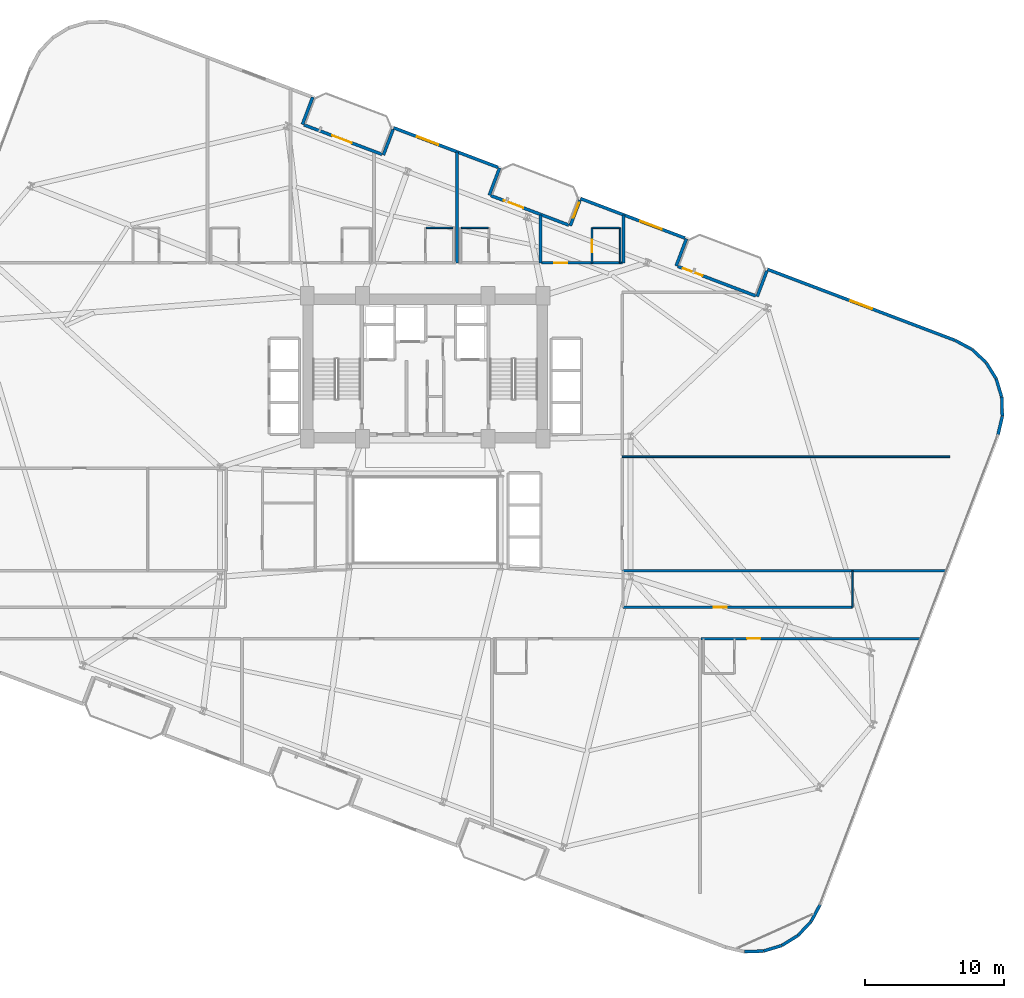
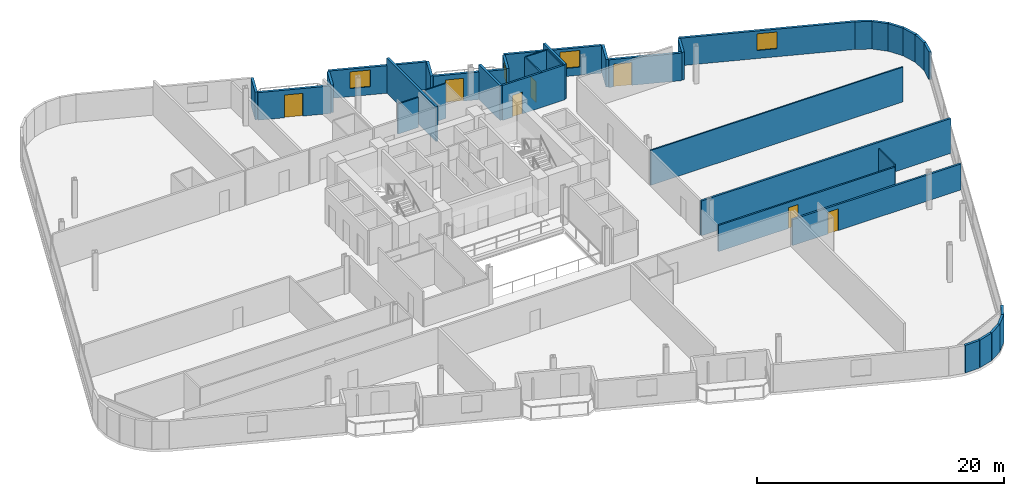
# One storey, part 21 of 25: 37 walls, 7 doors, 4 windows, 11 openings.
"""IFC4 building model written with IfcOpenShell, lengths in metres."""

from ifc_helpers import new_model, si_unit, direction, frame, frame_2d, origin, place, context, subcontext, project, spatial, rectangle, extrude, material, layer, layer_set, type_object, element, fill, save


model = new_model("IFC4")

# Units and contexts
model_context = context("Model", 3, precision=1e-05, world=origin(), true_north=direction((0.0, 1.0)))
body_context = subcontext(model_context, "Body", "Model", "MODEL_VIEW")
ifc_project = project(units=[si_unit("LENGTHUNIT", "METRE"), si_unit("AREAUNIT", "SQUARE_METRE"), si_unit("VOLUMEUNIT", "CUBIC_METRE"), si_unit("PLANEANGLEUNIT", "RADIAN"), si_unit("MASSUNIT", "GRAM", prefix="KILO")], contexts=[model_context])

# Site, building, storey
site_placement = place(None, origin())
site = spatial("IfcSite", under=ifc_project, at=site_placement, CompositionType="ELEMENT")
building_placement = place(site_placement, origin())
building = spatial("IfcBuilding", under=site, at=building_placement, Name="Varnelok Gate Tower", CompositionType="ELEMENT")
storey_placement = place(building_placement, frame((0.0, 0.0, 91.0)))
storey = spatial("IfcBuildingStorey", under=building, at=storey_placement, Name="L22", CompositionType="ELEMENT", Elevation=91.0)

# Wall, opening, door
ifc_material_1 = material(Name="Concrete C45/55", Category="concrete")
ifc_layer_1 = layer(ifc_material_1, 0.219970703125)
ifc_layer_set_1 = layer_set([ifc_layer_1], Name="Concrete C45/55")
wall_type_1 = type_object("IfcWallType", Name="EW-BALC-220", PredefinedType="SOLIDWALL", material=ifc_layer_set_1)
wall_1_placement = place(storey_placement, frame((30.465087890625, 51.37158203125, 0.0), z_axis=(0.0, 0.0, 1.0), x_axis=(0.935227640088, -0.354046976001, 0.0)))
wall_1 = element("IfcWall", 1, at=wall_1_placement, inside=storey, type_object=wall_type_1, Name="L22 North Terrace Envelope Wall 4", PredefinedType="SOLIDWALL", context=body_context, shape_type="SweptSolid", body=[
    extrude(rectangle(XDim=6.0, YDim=0.219970703125, at=frame_2d((3.0, 0.0))), origin(), (0.0, 0.0, 1.0), 2.72998046875),
])
opening_1_placement = place(wall_1_placement, frame((2.176025390625, 0.0, 0.0)))
opening_1 = element("IfcOpeningElement", 2, at=opening_1_placement, cuts=wall_1, Name="Opening BD-1", PredefinedType="OPENING", context=body_context, shape_type="SweptSolid", body=[
    extrude(rectangle(XDim=1.5, YDim=2.25, at=frame_2d((0.75, 1.125))), frame((0.0, 0.119873046875, 0.0), z_axis=(0.0, -1.0, 0.0), x_axis=(1.0, 0.0, 0.0)), (0.0, 0.0, 1.0), 0.239990234375),
])
ifc_material_2 = material(Name="Anodized Aluminum Alloy 6063-T6", Category="aluminium")
door_type_1 = type_object("IfcDoorType", Name="DR-EXT-BALC1500", OperationType="NOTDEFINED", PredefinedType="DOOR", material=ifc_material_2)
door_1_placement = place(opening_1_placement, origin())
door_1 = element("IfcDoor", 3, at=door_1_placement, inside=storey, type_object=door_type_1, Name="L22 North Balcony Glazed Door 4", OperationType="SINGLE_SWING_LEFT", OverallHeight=2.25, OverallWidth=1.5, PredefinedType="DOOR", context=body_context, shape_type="SweptSolid", body=[
    extrude(rectangle(XDim=1.5, YDim=2.25, at=frame_2d((0.75, 1.125))), frame((0.0, 0.02490234375, 0.0), z_axis=(0.0, -1.0, 0.0), x_axis=(1.0, 0.0, 0.0)), (0.0, 0.0, 1.0), 0.050048828125),
])
fill(opening_1, door_1)

wall_2_placement = place(storey_placement, frame((43.932373046875, 46.273193359375, 0.0), z_axis=(0.0, 0.0, 1.0), x_axis=(0.93521416643, -0.354082565101, 0.0)))
wall_2 = element("IfcWall", 4, at=wall_2_placement, inside=storey, type_object=wall_type_1, Name="L22 North Terrace Envelope Wall 5", PredefinedType="SOLIDWALL", context=body_context, shape_type="SweptSolid", body=[
    extrude(rectangle(XDim=6.0, YDim=0.219970703125, at=frame_2d((3.0, 0.0))), origin(), (0.0, 0.0, 1.0), 2.72998046875),
])
opening_2_placement = place(wall_2_placement, frame((0.991943359375, 0.0, 0.0)))
opening_2 = element("IfcOpeningElement", 5, at=opening_2_placement, cuts=wall_2, Name="Opening BD-1", PredefinedType="OPENING", context=body_context, shape_type="SweptSolid", body=[
    extrude(rectangle(XDim=1.5, YDim=2.25, at=frame_2d((0.75, 1.125))), frame((0.0, 0.119873046875, 0.0), z_axis=(0.0, -1.0, 0.0), x_axis=(1.0, 0.0, 0.0)), (0.0, 0.0, 1.0), 0.239990234375),
])
door_2_placement = place(opening_2_placement, origin())
door_2 = element("IfcDoor", 6, at=door_2_placement, inside=storey, type_object=door_type_1, Name="L22 North Balcony Glazed Door 5", OperationType="SINGLE_SWING_RIGHT", OverallHeight=2.25, OverallWidth=1.5, PredefinedType="DOOR", context=body_context, shape_type="SweptSolid", body=[
    extrude(rectangle(XDim=1.5, YDim=2.25, at=frame_2d((0.75, 1.125))), frame((0.0, 0.02490234375, 0.0), z_axis=(0.0, -1.0, 0.0), x_axis=(1.0, 0.0, 0.0)), (0.0, 0.0, 1.0), 0.050048828125),
])
fill(opening_2, door_2)

wall_3_placement = place(storey_placement, frame((57.3994140625, 41.174560546875, 0.0), z_axis=(0.0, 0.0, 1.0), x_axis=(0.935227640088, -0.354046976001, 0.0)))
wall_3 = element("IfcWall", 7, at=wall_3_placement, inside=storey, type_object=wall_type_1, Name="L22 North Terrace Envelope Wall 6", PredefinedType="SOLIDWALL", context=body_context, shape_type="SweptSolid", body=[
    extrude(rectangle(XDim=6.0, YDim=0.219970703125, at=frame_2d((3.0, 0.0))), origin(), (0.0, 0.0, 1.0), 2.72998046875),
])
opening_3_placement = place(wall_3_placement, frame((0.39990234375, 0.0, 0.0)))
opening_3 = element("IfcOpeningElement", 8, at=opening_3_placement, cuts=wall_3, Name="Opening BD-1", PredefinedType="OPENING", context=body_context, shape_type="SweptSolid", body=[
    extrude(rectangle(XDim=1.5, YDim=2.25, at=frame_2d((0.75, 1.125))), frame((0.0, 0.119873046875, 0.0), z_axis=(0.0, -1.0, 0.0), x_axis=(1.0, 0.0, 0.0)), (0.0, 0.0, 1.0), 0.239990234375),
])
door_3_placement = place(opening_3_placement, origin())
door_3 = element("IfcDoor", 9, at=door_3_placement, inside=storey, type_object=door_type_1, Name="L22 North Balcony Glazed Door 6", OperationType="SINGLE_SWING_LEFT", OverallHeight=2.25, OverallWidth=1.5, PredefinedType="DOOR", context=body_context, shape_type="SweptSolid", body=[
    extrude(rectangle(XDim=1.5, YDim=2.25, at=frame_2d((0.75, 1.125))), frame((0.0, 0.02490234375, 0.0), z_axis=(0.0, -1.0, 0.0), x_axis=(1.0, 0.0, 0.0)), (0.0, 0.0, 1.0), 0.050048828125),
])
fill(opening_3, door_3)

# Walls
wall_4_placement = place(storey_placement, frame((62.2158203125, -8.209228515625, 0.0), z_axis=(0.0, 0.0, 1.0), x_axis=(0.999523971993, 0.03085173271, 0.0)))
element("IfcWall", 10, at=wall_4_placement, inside=storey, type_object=wall_type_1, Name="L22 Perimeter Facade Closure Wall 18", PredefinedType="SOLIDWALL", context=body_context, shape_type="SweptSolid", body=[
    extrude(rectangle(XDim=1.353271484375, YDim=0.219970703125, at=frame_2d((0.6767578125, 0.0))), origin(), (0.0, 0.0, 1.0), 2.72998046875),
])
for number, where, z_axis, x_axis, name in (
    (11, (63.59228515625, -8.160400390625, 0.0), (0.0, 0.0, 1.0), (0.957532798303, 0.28832436625, 0.0), "L22 Perimeter Facade Closure Wall 19"),
    (12, (64.9091796875, -7.757080078125, 0.0), (0.0, 0.0, 1.0), (0.850180541217, 0.526491260456, 0.0), "L22 Perimeter Facade Closure Wall 20"),
):
    element("IfcWall", number, at=place(storey_placement, frame(where, z_axis=z_axis, x_axis=x_axis)), inside=storey, type_object=wall_type_1, Name=name, PredefinedType="SOLIDWALL", context=body_context, shape_type="SweptSolid", body=[
        extrude(rectangle(XDim=1.35302734375, YDim=0.219970703125, at=frame_2d((0.676513671875, 0.0))), origin(), (0.0, 0.0, 1.0), 2.72998046875),
    ])
wall_5_placement = place(storey_placement, frame((66.07666015625, -7.026611328125, 0.0), z_axis=(0.0, 0.0, 1.0), x_axis=(0.685032599484, 0.7285124142, 0.0)))
element("IfcWall", 13, at=wall_5_placement, inside=storey, type_object=wall_type_1, Name="L22 Perimeter Facade Closure Wall 21", PredefinedType="SOLIDWALL", context=body_context, shape_type="SweptSolid", body=[
    extrude(rectangle(XDim=1.353271484375, YDim=0.219970703125, at=frame_2d((0.6767578125, 0.0))), origin(), (0.0, 0.0, 1.0), 2.72998046875),
])
wall_6_placement = place(storey_placement, frame((67.015380859375, -6.018798828125, 0.0), z_axis=(0.0, 0.0, 1.0), x_axis=(0.473077364598, 0.881020889142, 0.0)))
element("IfcWall", 14, at=wall_6_placement, inside=storey, type_object=wall_type_1, Name="L22 Perimeter Facade Closure Wall 22", PredefinedType="SOLIDWALL", context=body_context, shape_type="SweptSolid", body=[
    extrude(rectangle(XDim=1.35302734375, YDim=0.219970703125, at=frame_2d((0.676513671875, 0.0))), origin(), (0.0, 0.0, 1.0), 2.72998046875),
])
wall_7_placement = place(storey_placement, frame((80.47265625, 29.0283203125, 0.0), z_axis=(0.0, 0.0, 1.0), x_axis=(0.228881345311, 0.973454328548, 0.0)))
element("IfcWall", 15, at=wall_7_placement, inside=storey, type_object=wall_type_1, Name="L22 Perimeter Facade Closure Wall 23", PredefinedType="SOLIDWALL", context=body_context, shape_type="SweptSolid", body=[
    extrude(rectangle(XDim=1.378173828125, YDim=0.219970703125, at=frame_2d((0.68896484375, 0.0))), origin(), (0.0, 0.0, 1.0), 2.72998046875),
])
for number, where, z_axis, x_axis, name in (
    (16, (80.787353515625, 30.39501953125, 0.0), (0.0, 0.0, 1.0), (-0.030857297317, 0.999523800218, 0.0), "L22 Perimeter Facade Closure Wall 24"),
    (17, (80.738525390625, 31.771240234375, 0.0), (0.0, 0.0, 1.0), (-0.28832436625, 0.957532798303, 0.0), "L22 Perimeter Facade Closure Wall 25"),
    (18, (80.335205078125, 33.088134765625, 0.0), (0.0, 0.0, 1.0), (-0.526491260456, 0.850180541217, 0.0), "L22 Perimeter Facade Closure Wall 26"),
    (19, (79.6044921875, 34.255615234375, 0.0), (0.0, 0.0, 1.0), (-0.72842773461, 0.685122642634, 0.0), "L22 Perimeter Facade Closure Wall 27"),
):
    element("IfcWall", number, at=place(storey_placement, frame(where, z_axis=z_axis, x_axis=x_axis)), inside=storey, type_object=wall_type_1, Name=name, PredefinedType="SOLIDWALL", context=body_context, shape_type="SweptSolid", body=[
        extrude(rectangle(XDim=1.35302734375, YDim=0.219970703125, at=frame_2d((0.676513671875, 0.0))), origin(), (0.0, 0.0, 1.0), 2.72998046875),
    ])
wall_8_placement = place(storey_placement, frame((78.5966796875, 35.1943359375, 0.0), z_axis=(0.0, 0.0, 1.0), x_axis=(-0.880948732004, 0.473211719614, 0.0)))
element("IfcWall", 20, at=wall_8_placement, inside=storey, type_object=wall_type_1, Name="L22 Perimeter Facade Closure Wall 28", PredefinedType="SOLIDWALL", context=body_context, shape_type="SweptSolid", body=[
    extrude(rectangle(XDim=1.361083984375, YDim=0.219970703125, at=frame_2d((0.6806640625, 0.0))), origin(), (0.0, 0.0, 1.0), 2.72998046875),
])

# Wall, opening, window
wall_9_placement = place(storey_placement, frame((77.37451171875, 35.84716796875, 0.0), z_axis=(0.0, 0.0, 1.0), x_axis=(-0.935222448475, 0.354060689526, 0.0)))
wall_9 = element("IfcWall", 21, at=wall_9_placement, inside=storey, type_object=wall_type_1, Name="L22 Perimeter Facade Closure Wall 29", PredefinedType="SOLIDWALL", context=body_context, shape_type="SweptSolid", body=[
    extrude(rectangle(XDim=14.447265625, YDim=0.219970703125, at=frame_2d((7.2236328125, 0.0))), origin(), (0.0, 0.0, 1.0), 2.72998046875),
])
opening_4_placement = place(wall_9_placement, frame((6.398681640625, 0.0, 0.800048828125)))
opening_4 = element("IfcOpeningElement", 22, at=opening_4_placement, cuts=wall_9, Name="Opening WN3", PredefinedType="OPENING", context=body_context, shape_type="SweptSolid", body=[
    extrude(rectangle(XDim=1.64990234375, YDim=1.64990234375, at=frame_2d((0.824951171875, 0.824951171875))), frame((0.0, 0.119873046875, 0.0), z_axis=(0.0, -1.0, 0.0), x_axis=(1.0, 0.0, 0.0)), (0.0, 0.0, 1.0), 0.239990234375),
])
ifc_material_3 = material(Name="Low-E Laminated Double Glazing IGU", Category="glass")
window_type_1 = type_object("IfcWindowType", Name="WN-HTL-1650", PartitioningType="SINGLE_PANEL", PredefinedType="WINDOW", material=ifc_material_3)
window_1_placement = place(opening_4_placement, origin())
window_1 = element("IfcWindow", 23, at=window_1_placement, inside=storey, type_object=window_type_1, Name="L22 Perimeter Vision Window 29", OverallHeight=1.64990234375, OverallWidth=1.64990234375, PartitioningType="SINGLE_PANEL", PredefinedType="WINDOW", context=body_context, shape_type="SweptSolid", body=[
    extrude(rectangle(XDim=1.64990234375, YDim=1.64990234375, at=frame_2d((0.824951171875, 0.824951171875))), frame((0.0, 0.030029296875, 0.0), z_axis=(0.0, -1.0, 0.0), x_axis=(1.0, 0.0, 0.0)), (0.0, 0.0, 1.0), 0.06005859375),
])
fill(opening_4, window_1)

# Walls
wall_10_placement = place(storey_placement, frame((63.81884765625, 40.845458984375, 0.0), z_axis=(0.0, 0.0, 1.0), x_axis=(-0.354128791944, -0.935196663123, 0.0)))
element("IfcWall", 24, at=wall_10_placement, inside=storey, type_object=wall_type_1, Name="L22 Perimeter Facade Closure Wall 30", PredefinedType="SOLIDWALL", context=body_context, shape_type="SweptSolid", body=[
    extrude(rectangle(XDim=1.97509765625, YDim=0.219970703125, at=frame_2d((0.987548828125, 0.0))), origin(), (0.0, 0.0, 1.0), 2.72998046875),
])
wall_11_placement = place(storey_placement, frame((57.28369140625, 41.207763671875, 0.0), z_axis=(0.0, 0.0, 1.0), x_axis=(0.354128469405, 0.935196785258, 0.0)))
element("IfcWall", 25, at=wall_11_placement, inside=storey, type_object=wall_type_1, Name="L22 Perimeter Facade Closure Wall 31", PredefinedType="SOLIDWALL", context=body_context, shape_type="SweptSolid", body=[
    extrude(rectangle(XDim=2.099853515625, YDim=0.219970703125, at=frame_2d((1.0498046875, 0.0))), origin(), (0.0, 0.0, 1.0), 2.72998046875),
])

# Wall, opening, window
wall_12_placement = place(storey_placement, frame((57.910400390625, 43.2158203125, 0.0), z_axis=(0.0, 0.0, 1.0), x_axis=(-0.935220736163, 0.354065212427, 0.0)))
wall_12 = element("IfcWall", 26, at=wall_12_placement, inside=storey, type_object=wall_type_1, Name="L22 Perimeter Facade Closure Wall 32", PredefinedType="SOLIDWALL", context=body_context, shape_type="SweptSolid", body=[
    extrude(rectangle(XDim=8.03515625, YDim=0.219970703125, at=frame_2d((4.017578125, 0.0))), origin(), (0.0, 0.0, 1.0), 2.72998046875),
])
opening_5_placement = place(wall_12_placement, frame((1.787841796875, 0.0, 0.800048828125)))
opening_5 = element("IfcOpeningElement", 27, at=opening_5_placement, cuts=wall_12, Name="Opening WN3", PredefinedType="OPENING", context=body_context, shape_type="SweptSolid", body=[
    extrude(rectangle(XDim=1.64990234375, YDim=1.64990234375, at=frame_2d((0.824951171875, 0.824951171875))), frame((0.0, 0.119873046875, 0.0), z_axis=(0.0, -1.0, 0.0), x_axis=(1.0, 0.0, 0.0)), (0.0, 0.0, 1.0), 0.239990234375),
])
window_2_placement = place(opening_5_placement, origin())
window_2 = element("IfcWindow", 28, at=window_2_placement, inside=storey, type_object=window_type_1, Name="L22 Perimeter Vision Window 32", OverallHeight=1.64990234375, OverallWidth=1.64990234375, PartitioningType="SINGLE_PANEL", PredefinedType="WINDOW", context=body_context, shape_type="SweptSolid", body=[
    extrude(rectangle(XDim=1.64990234375, YDim=1.64990234375, at=frame_2d((0.824951171875, 0.824951171875))), frame((0.0, 0.030029296875, 0.0), z_axis=(0.0, -1.0, 0.0), x_axis=(1.0, 0.0, 0.0)), (0.0, 0.0, 1.0), 0.06005859375),
])
fill(opening_5, window_2)

wall_13_placement = place(storey_placement, frame((50.3515625, 45.94384765625, 0.0), z_axis=(0.0, 0.0, 1.0), x_axis=(-0.354061611705, -0.935222099352, 0.0)))
wall_13 = element("IfcWall", 29, at=wall_13_placement, inside=storey, type_object=wall_type_1, Name="L22 Perimeter Facade Closure Wall 33", PredefinedType="SOLIDWALL", context=body_context, shape_type="SweptSolid", body=[
    extrude(rectangle(XDim=1.974853515625, YDim=0.219970703125, at=frame_2d((0.9873046875, 0.0))), origin(), (0.0, 0.0, 1.0), 2.72998046875),
])
opening_6_placement = place(wall_13_placement, frame((0.199951171875, 0.0, 0.800048828125)))
opening_6 = element("IfcOpeningElement", 30, at=opening_6_placement, cuts=wall_13, Name="Opening WN8", PredefinedType="OPENING", context=body_context, shape_type="SweptSolid", body=[
    extrude(rectangle(XDim=1.14990234375, YDim=1.39990234375, at=frame_2d((0.574951171875, 0.699951171875))), frame((0.0, 0.119873046875, 0.0), z_axis=(0.0, -1.0, 0.0), x_axis=(1.0, 0.0, 0.0)), (0.0, 0.0, 1.0), 0.239990234375),
])
window_type_2 = type_object("IfcWindowType", Name="WN-BED-1150", PartitioningType="SINGLE_PANEL", PredefinedType="WINDOW", material=ifc_material_3)
window_3_placement = place(opening_6_placement, origin())
window_3 = element("IfcWindow", 31, at=window_3_placement, inside=storey, type_object=window_type_2, Name="L22 Bedroom Vision Window 8", OverallHeight=1.39990234375, OverallWidth=1.14990234375, PartitioningType="SINGLE_PANEL", PredefinedType="WINDOW", context=body_context, shape_type="SweptSolid", body=[
    extrude(rectangle(XDim=1.14990234375, YDim=1.39990234375, at=frame_2d((0.574951171875, 0.699951171875))), frame((0.0, 0.030029296875, 0.0), z_axis=(0.0, -1.0, 0.0), x_axis=(1.0, 0.0, 0.0)), (0.0, 0.0, 1.0), 0.06005859375),
])
fill(opening_6, window_3)

# Wall
wall_14_placement = place(storey_placement, frame((43.816650390625, 46.30615234375, 0.0), z_axis=(0.0, 0.0, 1.0), x_axis=(0.353988291547, 0.935249854022, 0.0)))
element("IfcWall", 32, at=wall_14_placement, inside=storey, type_object=wall_type_1, Name="L22 Perimeter Facade Closure Wall 34", PredefinedType="SOLIDWALL", context=body_context, shape_type="SweptSolid", body=[
    extrude(rectangle(XDim=2.10009765625, YDim=0.219970703125, at=frame_2d((1.050048828125, 0.0))), origin(), (0.0, 0.0, 1.0), 2.72998046875),
])

# Wall, opening, window
wall_15_placement = place(storey_placement, frame((44.443115234375, 48.314453125, 0.0), z_axis=(0.0, 0.0, 1.0), x_axis=(-0.935226988293, 0.354048697735, 0.0)))
wall_15 = element("IfcWall", 33, at=wall_15_placement, inside=storey, type_object=wall_type_1, Name="L22 Perimeter Facade Closure Wall 35", PredefinedType="SOLIDWALL", context=body_context, shape_type="SweptSolid", body=[
    extrude(rectangle(XDim=8.034912109375, YDim=0.219970703125, at=frame_2d((4.017578125, 0.0))), origin(), (0.0, 0.0, 1.0), 2.72998046875),
])
opening_7_placement = place(wall_15_placement, frame((4.59716796875, 0.0, 0.800048828125)))
opening_7 = element("IfcOpeningElement", 34, at=opening_7_placement, cuts=wall_15, Name="Opening WN3", PredefinedType="OPENING", context=body_context, shape_type="SweptSolid", body=[
    extrude(rectangle(XDim=1.64990234375, YDim=1.64990234375, at=frame_2d((0.824951171875, 0.824951171875))), frame((0.0, 0.119873046875, 0.0), z_axis=(0.0, -1.0, 0.0), x_axis=(1.0, 0.0, 0.0)), (0.0, 0.0, 1.0), 0.239990234375),
])
window_4_placement = place(opening_7_placement, origin())
window_4 = element("IfcWindow", 35, at=window_4_placement, inside=storey, type_object=window_type_1, Name="L22 Perimeter Vision Window 35", OverallHeight=1.64990234375, OverallWidth=1.64990234375, PartitioningType="SINGLE_PANEL", PredefinedType="WINDOW", context=body_context, shape_type="SweptSolid", body=[
    extrude(rectangle(XDim=1.64990234375, YDim=1.64990234375, at=frame_2d((0.824951171875, 0.824951171875))), frame((0.0, 0.030029296875, 0.0), z_axis=(0.0, -1.0, 0.0), x_axis=(1.0, 0.0, 0.0)), (0.0, 0.0, 1.0), 0.06005859375),
])
fill(opening_7, window_4)

# Walls
wall_16_placement = place(storey_placement, frame((36.884521484375, 51.04248046875, 0.0), z_axis=(0.0, 0.0, 1.0), x_axis=(-0.354128791944, -0.935196663123, 0.0)))
element("IfcWall", 36, at=wall_16_placement, inside=storey, type_object=wall_type_1, Name="L22 Perimeter Facade Closure Wall 36", PredefinedType="SOLIDWALL", context=body_context, shape_type="SweptSolid", body=[
    extrude(rectangle(XDim=1.97509765625, YDim=0.219970703125, at=frame_2d((0.987548828125, 0.0))), origin(), (0.0, 0.0, 1.0), 2.72998046875),
])
wall_17_placement = place(storey_placement, frame((30.349365234375, 51.40478515625, 0.0), z_axis=(0.0, 0.0, 1.0), x_axis=(0.354128469405, 0.935196785258, 0.0)))
element("IfcWall", 37, at=wall_17_placement, inside=storey, type_object=wall_type_1, Name="L22 Perimeter Facade Closure Wall 37", PredefinedType="SOLIDWALL", context=body_context, shape_type="SweptSolid", body=[
    extrude(rectangle(XDim=2.099853515625, YDim=0.219970703125, at=frame_2d((1.0498046875, 0.0))), origin(), (0.0, 0.0, 1.0), 2.72998046875),
])

# Wall, opening, door
ifc_material_4 = material(Name="Gypsum Plasterboard Acoustic Partition", Category="gypsum")
ifc_layer_2 = layer(ifc_material_4, 0.179931640625)
ifc_layer_set_2 = layer_set([ifc_layer_2], Name="Gypsum Plasterboard Acoustic Partition")
wall_type_2 = type_object("IfcWallType", Name="PW-CORR-180", PredefinedType="PARTITIONING", material=ifc_layer_set_2)
wall_18_placement = place(storey_placement, frame((59.080078125, 14.35009765625, 0.0), z_axis=(0.0, 0.0, 1.0), x_axis=(1.0, 0.0, 0.0)))
wall_18 = element("IfcWall", 38, at=wall_18_placement, inside=storey, type_object=wall_type_2, Name="Interior Partition", PredefinedType="PARTITIONING", context=body_context, shape_type="SweptSolid", body=[
    extrude(rectangle(XDim=15.775146484375, YDim=0.179931640625, at=frame_2d((7.8876953125, 0.0))), origin(), (0.0, 0.0, 1.0), 2.580078125),
])
opening_8_placement = place(wall_18_placement, frame((3.324462890625, 0.0, 0.0)))
opening_8 = element("IfcOpeningElement", 39, at=opening_8_placement, cuts=wall_18, Name="Opening D-HT", PredefinedType="OPENING", context=body_context, shape_type="SweptSolid", body=[
    extrude(rectangle(XDim=0.949951171875, YDim=2.14990234375, at=frame_2d((0.47509765625, 1.074951171875))), frame((0.0, 0.099853515625, 0.0), z_axis=(0.0, -1.0, 0.0), x_axis=(1.0, 0.0, 0.0)), (0.0, 0.0, 1.0), 0.199951171875),
])
ifc_material_5 = material(Name="Engineered Hardwood Timber", Category="wood")
door_type_2 = type_object("IfcDoorType", Name="DR-HTL-950", OperationType="NOTDEFINED", PredefinedType="DOOR", material=ifc_material_5)
door_4_placement = place(opening_8_placement, origin())
door_4 = element("IfcDoor", 40, at=door_4_placement, inside=storey, type_object=door_type_2, Name="L22 Guest Room 04 Entrance Door", OperationType="SINGLE_SWING_LEFT", OverallHeight=2.14990234375, OverallWidth=0.949951171875, PredefinedType="DOOR", context=body_context, shape_type="SweptSolid", body=[
    extrude(rectangle(XDim=0.949951171875, YDim=2.14990234375, at=frame_2d((0.47509765625, 1.074951171875))), frame((0.0, 0.02490234375, 0.0), z_axis=(0.0, -1.0, 0.0), x_axis=(1.0, 0.0, 0.0)), (0.0, 0.0, 1.0), 0.050048828125),
])
fill(opening_8, door_4)

wall_19_placement = place(storey_placement, frame((47.580078125, 41.429931640625, 0.0), z_axis=(0.0, 0.0, 1.0), x_axis=(1.0, 0.0, 0.0)))
wall_19 = element("IfcWall", 41, at=wall_19_placement, inside=storey, type_object=wall_type_2, Name="Interior Partition", PredefinedType="PARTITIONING", context=body_context, shape_type="SweptSolid", body=[
    extrude(rectangle(XDim=5.83984375, YDim=0.179931640625, at=frame_2d((2.919921875, 0.0))), origin(), (0.0, 0.0, 1.0), 3.449951171875),
])
opening_9_placement = place(wall_19_placement, frame((0.917236328125, 0.0, 0.0)))
opening_9 = element("IfcOpeningElement", 42, at=opening_9_placement, cuts=wall_19, Name="Opening D-HT", PredefinedType="OPENING", context=body_context, shape_type="SweptSolid", body=[
    extrude(rectangle(XDim=0.949951171875, YDim=2.14990234375, at=frame_2d((0.47509765625, 1.074951171875))), frame((0.0, 0.099853515625, 0.0), z_axis=(0.0, -1.0, 0.0), x_axis=(1.0, 0.0, 0.0)), (0.0, 0.0, 1.0), 0.199951171875),
])
door_5_placement = place(opening_9_placement, origin())
door_5 = element("IfcDoor", 43, at=door_5_placement, inside=storey, type_object=door_type_2, Name="L22 Guest Room 10 Entrance Door", OperationType="SINGLE_SWING_LEFT", OverallHeight=2.14990234375, OverallWidth=0.949951171875, PredefinedType="DOOR", context=body_context, shape_type="SweptSolid", body=[
    extrude(rectangle(XDim=0.949951171875, YDim=2.14990234375, at=frame_2d((0.47509765625, 1.074951171875))), frame((0.0, 0.02490234375, 0.0), z_axis=(0.0, -1.0, 0.0), x_axis=(1.0, 0.0, 0.0)), (0.0, 0.0, 1.0), 0.050048828125),
])
fill(opening_9, door_5)

# Walls
wall_20_placement = place(storey_placement, frame((53.389892578125, 19.239990234375, 0.0), z_axis=(0.0, 0.0, 1.0), x_axis=(1.0, 0.0, 0.0)))
element("IfcWall", 44, at=wall_20_placement, inside=storey, type_object=wall_type_2, Name="Interior Partition", PredefinedType="PARTITIONING", context=body_context, shape_type="SweptSolid", body=[
    extrude(rectangle(XDim=23.316650390625, YDim=0.179931640625, at=frame_2d((11.658203125, 0.0))), origin(), (0.0, 0.0, 1.0), 3.449951171875),
])
ifc_layer_3 = layer(ifc_material_4, 0.114990234375)
ifc_layer_set_3 = layer_set([ifc_layer_3], Name="Gypsum Plasterboard Acoustic Partition")
wall_type_3 = type_object("IfcWallType", Name="PW-ENS-125", PredefinedType="PARTITIONING", material=ifc_layer_set_3)
wall_21_placement = place(storey_placement, frame((39.256103515625, 43.949951171875, 0.0), z_axis=(0.0, 0.0, 1.0), x_axis=(1.0, 0.0, 0.0)))
element("IfcWall", 45, at=wall_21_placement, inside=storey, type_object=wall_type_3, Name="Interior Partition", PredefinedType="PARTITIONING", context=body_context, shape_type="SweptSolid", body=[
    extrude(rectangle(XDim=1.94384765625, YDim=0.114990234375, at=frame_2d((0.971923828125, 0.0))), origin(), (0.0, 0.0, 1.0), 2.971923828125),
])
for number, where, z_axis, x_axis, name in (
    (46, (41.800048828125, 43.949951171875, 0.0), (0.0, 0.0, 1.0), (1.0, 0.0, 0.0), "Interior Partition"),
    (47, (51.256103515625, 43.949951171875, 0.0), (0.0, 0.0, 1.0), (1.0, 0.0, 0.0), "Interior Partition"),
):
    element("IfcWall", number, at=place(storey_placement, frame(where, z_axis=z_axis, x_axis=x_axis)), inside=storey, type_object=wall_type_3, Name=name, PredefinedType="PARTITIONING", context=body_context, shape_type="SweptSolid", body=[
        extrude(rectangle(XDim=1.94384765625, YDim=0.114990234375, at=frame_2d((0.971923828125, 0.0))), origin(), (0.0, 0.0, 1.0), 3.449951171875),
    ])

# Wall, opening, door
wall_22_placement = place(storey_placement, frame((51.216064453125, 41.429931640625, 0.0), z_axis=(0.0, 0.0, 1.0), x_axis=(0.0, 1.0, 0.0)))
wall_22 = element("IfcWall", 48, at=wall_22_placement, inside=storey, type_object=wall_type_3, Name="Interior Partition", PredefinedType="PARTITIONING", context=body_context, shape_type="SweptSolid", body=[
    extrude(rectangle(XDim=2.52001953125, YDim=0.114990234375, at=frame_2d((1.260009765625, 0.0))), origin(), (0.0, 0.0, 1.0), 3.449951171875),
])
opening_10_placement = place(wall_22_placement, frame((0.760009765625, 0.0, 0.0)))
opening_10 = element("IfcOpeningElement", 49, at=opening_10_placement, cuts=wall_22, Name="Opening D-WC", PredefinedType="OPENING", context=body_context, shape_type="SweptSolid", body=[
    extrude(rectangle(XDim=0.89990234375, YDim=2.050048828125, at=frame_2d((0.449951171875, 1.02490234375))), frame((0.0, 0.0673828125, 0.0), z_axis=(0.0, -1.0, 0.0), x_axis=(1.0, 0.0, 0.0)), (0.0, 0.0, 1.0), 0.135009765625),
])
door_type_3 = type_object("IfcDoorType", Name="DR-BATH-900", OperationType="NOTDEFINED", PredefinedType="DOOR", material=ifc_material_5)
door_6_placement = place(opening_10_placement, origin())
door_6 = element("IfcDoor", 50, at=door_6_placement, inside=storey, type_object=door_type_3, Name="L22 North En-Suite 10 Door", OperationType="SINGLE_SWING_LEFT", OverallHeight=2.050048828125, OverallWidth=0.89990234375, PredefinedType="DOOR", context=body_context, shape_type="SweptSolid", body=[
    extrude(rectangle(XDim=0.89990234375, YDim=2.050048828125, at=frame_2d((0.449951171875, 1.02490234375))), frame((0.0, 0.02490234375, 0.0), z_axis=(0.0, -1.0, 0.0), x_axis=(1.0, 0.0, 0.0)), (0.0, 0.0, 1.0), 0.050048828125),
])
fill(opening_10, door_6)

# Walls
wall_23_placement = place(storey_placement, frame((53.239990234375, 41.429931640625, 0.0), z_axis=(0.0, 0.0, 1.0), x_axis=(0.0, 1.0, 0.0)))
element("IfcWall", 51, at=wall_23_placement, inside=storey, type_object=wall_type_3, Name="Interior Partition", PredefinedType="PARTITIONING", context=body_context, shape_type="SweptSolid", body=[
    extrude(rectangle(XDim=2.52001953125, YDim=0.114990234375, at=frame_2d((1.260009765625, 0.0))), origin(), (0.0, 0.0, 1.0), 3.449951171875),
])
ifc_layer_4 = layer(ifc_material_4, 0.125)
ifc_layer_set_4 = layer_set([ifc_layer_4], Name="Gypsum Plasterboard Acoustic Partition")
wall_type_4 = type_object("IfcWallType", Name="PW-PART-125", PredefinedType="PARTITIONING", material=ifc_layer_set_4)
wall_24_placement = place(storey_placement, frame((70.0, 16.610107421875, 0.0), z_axis=(0.0, 0.0, 1.0), x_axis=(0.0, 1.0, 0.0)))
element("IfcWall", 52, at=wall_24_placement, inside=storey, type_object=wall_type_4, Name="Interior Partition", PredefinedType="PARTITIONING", context=body_context, shape_type="SweptSolid", body=[
    extrude(rectangle(XDim=2.6298828125, YDim=0.125, at=frame_2d((1.31494140625, 0.0))), origin(), (0.0, 0.0, 1.0), 2.823974609375),
])
wall_25_placement = place(storey_placement, frame((53.389892578125, 27.449951171875, 0.0), z_axis=(0.0, 0.0, 1.0), x_axis=(1.0, 0.0, 0.0)))
element("IfcWall", 53, at=wall_25_placement, inside=storey, type_object=wall_type_4, Name="Interior Partition", PredefinedType="PARTITIONING", context=body_context, shape_type="SweptSolid", body=[
    extrude(rectangle(XDim=23.610107421875, YDim=0.125, at=frame_2d((11.80517578125, 0.0))), origin(), (0.0, 0.0, 1.0), 3.449951171875),
])

# Wall, opening, door
ifc_layer_5 = layer(ifc_material_4, 0.14990234375)
ifc_layer_set_5 = layer_set([ifc_layer_5], Name="Gypsum Plasterboard Acoustic Partition")
wall_type_5 = type_object("IfcWallType", Name="PW-PART-150", PredefinedType="PARTITIONING", material=ifc_layer_set_5)
wall_26_placement = place(storey_placement, frame((53.449951171875, 16.610107421875, 0.0), z_axis=(0.0, 0.0, 1.0), x_axis=(1.0, 0.0, 0.0)))
wall_26 = element("IfcWall", 54, at=wall_26_placement, inside=storey, type_object=wall_type_5, Name="Interior Partition", PredefinedType="PARTITIONING", context=body_context, shape_type="SweptSolid", body=[
    extrude(rectangle(XDim=16.550048828125, YDim=0.14990234375, at=frame_2d((8.27490234375, 0.0))), origin(), (0.0, 0.0, 1.0), 2.580078125),
])
opening_11_placement = place(wall_26_placement, frame((6.547607421875, 0.0, 0.0)))
opening_11 = element("IfcOpeningElement", 55, at=opening_11_placement, cuts=wall_26, Name="Opening D-I3", PredefinedType="OPENING", context=body_context, shape_type="SweptSolid", body=[
    extrude(rectangle(XDim=0.919921875, YDim=2.050048828125, at=frame_2d((0.4599609375, 1.02490234375))), frame((0.0, 0.0849609375, 0.0), z_axis=(0.0, -1.0, 0.0), x_axis=(1.0, 0.0, 0.0)), (0.0, 0.0, 1.0), 0.169921875),
])
door_type_4 = type_object("IfcDoorType", Name="DR-INT-920", OperationType="NOTDEFINED", PredefinedType="DOOR", material=ifc_material_5)
door_7_placement = place(opening_11_placement, origin())
door_7 = element("IfcDoor", 56, at=door_7_placement, inside=storey, type_object=door_type_4, Name="L22 Atrium Room 2 Door", OperationType="SINGLE_SWING_LEFT", OverallHeight=2.050048828125, OverallWidth=0.919921875, PredefinedType="DOOR", context=body_context, shape_type="SweptSolid", body=[
    extrude(rectangle(XDim=0.919921875, YDim=2.050048828125, at=frame_2d((0.4599609375, 1.02490234375))), frame((0.0, 0.02490234375, 0.0), z_axis=(0.0, -1.0, 0.0), x_axis=(1.0, 0.0, 0.0)), (0.0, 0.0, 1.0), 0.050048828125),
])
fill(opening_11, door_7)

# Walls
ifc_layer_6 = layer(ifc_material_4, 0.205078125)
ifc_layer_set_6 = layer_set([ifc_layer_6], Name="Gypsum Plasterboard Acoustic Partition")
wall_type_6 = type_object("IfcWallType", Name="PW-PARTY-200", PredefinedType="PARTITIONING", material=ifc_layer_set_6)
wall_27_placement = place(storey_placement, frame((41.5, 41.429931640625, 0.0), z_axis=(0.0, 0.0, 1.0), x_axis=(0.0, 1.0, 0.0)))
element("IfcWall", 57, at=wall_27_placement, inside=storey, type_object=wall_type_6, Name="L22 North Party Wall 4", PredefinedType="PARTITIONING", context=body_context, shape_type="SweptSolid", body=[
    extrude(rectangle(XDim=7.977294921875, YDim=0.205078125, at=frame_2d((3.98876953125, 0.0))), origin(), (0.0, 0.0, 1.0), 3.449951171875),
])
wall_28_placement = place(storey_placement, frame((47.5, 41.429931640625, 0.0), z_axis=(0.0, 0.0, 1.0), x_axis=(0.0, 1.0, 0.0)))
element("IfcWall", 58, at=wall_28_placement, inside=storey, type_object=wall_type_6, Name="L22 North Party Wall 5", PredefinedType="PARTITIONING", context=body_context, shape_type="SweptSolid", body=[
    extrude(rectangle(XDim=3.46044921875, YDim=0.205078125, at=frame_2d((1.730224609375, 0.0))), origin(), (0.0, 0.0, 1.0), 3.449951171875),
])
wall_29_placement = place(storey_placement, frame((53.5, 41.429931640625, 0.0), z_axis=(0.0, 0.0, 1.0), x_axis=(0.0, 1.0, 0.0)))
element("IfcWall", 59, at=wall_29_placement, inside=storey, type_object=wall_type_6, Name="L22 North Party Wall 6", PredefinedType="PARTITIONING", context=body_context, shape_type="SweptSolid", body=[
    extrude(rectangle(XDim=3.434326171875, YDim=0.205078125, at=frame_2d((1.71728515625, 0.0))), origin(), (0.0, 0.0, 1.0), 3.449951171875),
])

save(model, "model.ifc")
